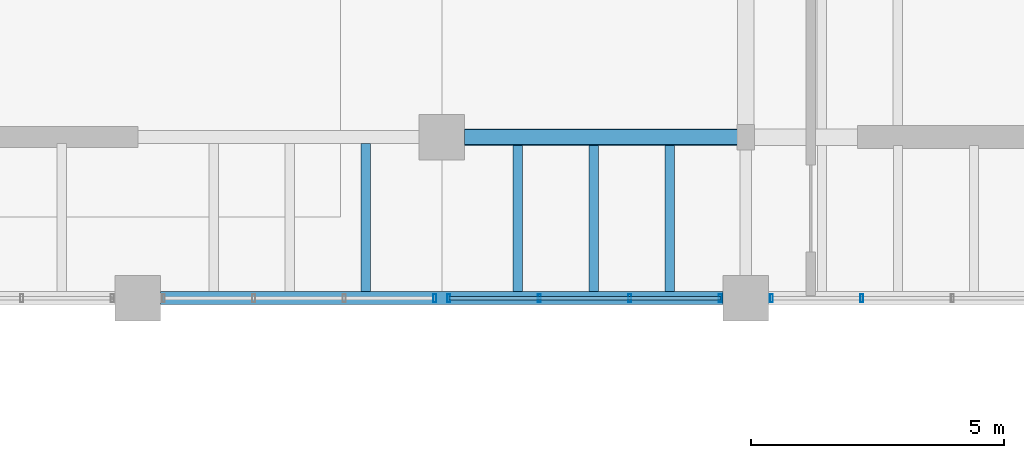
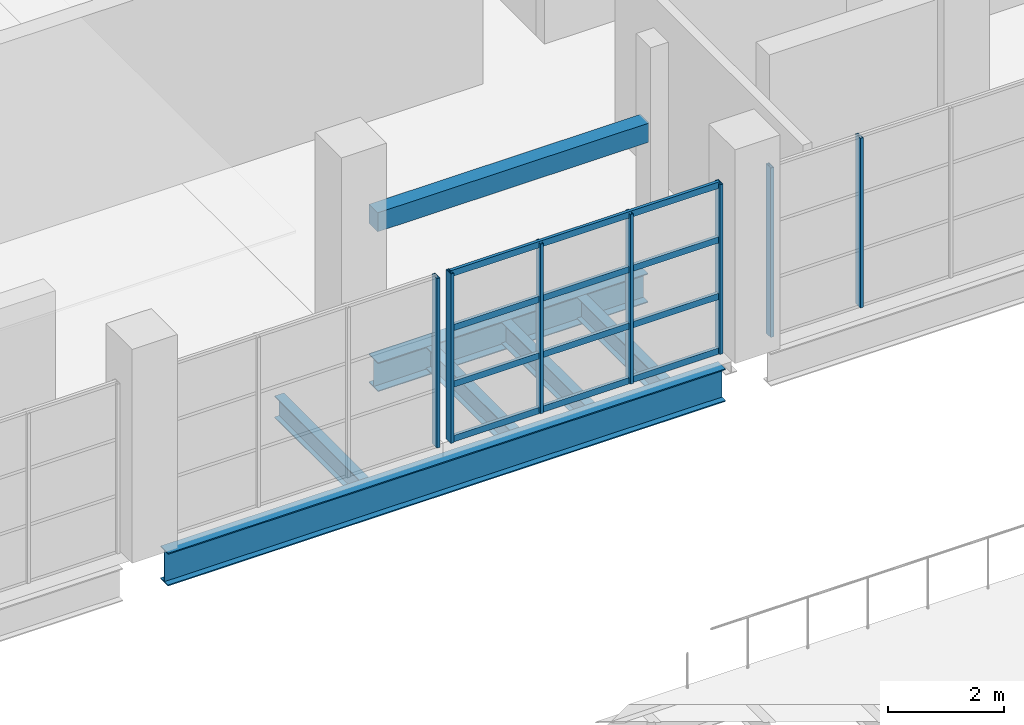
# One storey, part 42 of 78: 11 members, 7 beams, 3 elements without a shape of their own.
"""IFC4 building model written with IfcOpenShell, lengths in metres."""

from ifc_helpers import new_model, si_unit, direction, frame, origin, origin_2d, place, context, subcontext, project, spatial, rectangle, hollow_rectangle, i_section, extrude, material, material_profile, profile_set, type_object, element, aggregate, save


model = new_model("IFC4")

# Units and contexts
model_context = context("Model", 3, precision=1e-05, world=origin(), true_north=direction((0.0, 1.0)))
body_context = subcontext(model_context, "Body", "Model", "MODEL_VIEW")
ifc_project = project(units=[si_unit("LENGTHUNIT", "METRE"), si_unit("AREAUNIT", "SQUARE_METRE"), si_unit("VOLUMEUNIT", "CUBIC_METRE"), si_unit("PLANEANGLEUNIT", "RADIAN"), si_unit("MASSUNIT", "GRAM", prefix="KILO")], contexts=[model_context])

# Site, building, storey
site_placement = place(None, origin())
site = spatial("IfcSite", under=ifc_project, at=site_placement, CompositionType="ELEMENT")
building_placement = place(site_placement, origin())
building = spatial("IfcBuilding", under=site, at=building_placement, Name="Kelmvaro Bay Concert Hall", CompositionType="ELEMENT")
storey_placement = place(building_placement, frame((0.0, 0.0, 9.300048828125)))
storey = spatial("IfcBuildingStorey", under=building, at=storey_placement, Name="L02", CompositionType="ELEMENT", Elevation=9.300048828125)

# Beams
ifc_material_1 = material(Name="Concrete C40/50", Category="concrete")
ifc_material_profile_1 = material_profile(ifc_material_1, rectangle(XDim=0.300048828125, YDim=0.39990234375, at=origin_2d()), Name="RC-LNT-300X400")
ifc_profile_set_1 = profile_set([ifc_material_profile_1], Name="Concrete C40/50")
beam_type_1 = type_object("IfcBeamType", Name="Backstage Doorway Lintel RC300x400", PredefinedType="LINTEL", material=ifc_profile_set_1)
beam_1_placement = place(storey_placement, frame((42.449951171875, 68.580078125, 2.64990234375), z_axis=(1.0, 0.0, 0.0), x_axis=(0.0, 1.0, 0.0)))
element("IfcBeam", 1, at=beam_1_placement, inside=storey, type_object=beam_type_1, Name="L02 Acoustic Portal Lintel S2", PredefinedType="LINTEL", context=body_context, shape_type="SweptSolid", body=[
    extrude(rectangle(XDim=0.300048828125, YDim=0.39990234375, at=origin_2d()), origin(), (0.0, 0.0, 1.0), 5.400146484375),
])
ifc_material_2 = material(Name="Steel ASTM A992 Grade 50", Category="steel")
ifc_material_profile_2 = material_profile(ifc_material_2, i_section(OverallWidth=0.323974609375, OverallDepth=0.611083984375, WebThickness=0.0126953125, FlangeThickness=0.01904296875, at=origin_2d()), Name="W24X104")
ifc_profile_set_2 = profile_set([ifc_material_profile_2], Name="Steel ASTM A992 Grade 50")
beam_type_2 = type_object("IfcBeamType", Name="Foyer Frame Girder W24x104", PredefinedType="BEAM", material=ifc_profile_set_2)
beam_2_placement = place(storey_placement, frame((42.449951171875, 68.580078125, -0.60546875), z_axis=(1.0, 0.0, 0.0), x_axis=(0.0, 1.0, 0.0)))
element("IfcBeam", 2, at=beam_2_placement, inside=storey, type_object=beam_type_2, Name="L02 Girder BM-L02-EW-0761", PredefinedType="BEAM", context=body_context, shape_type="SweptSolid", body=[
    extrude(i_section(OverallWidth=0.323974609375, OverallDepth=0.611083984375, WebThickness=0.0126953125, FlangeThickness=0.01904296875, at=origin_2d()), origin(), (0.0, 0.0, 1.0), 5.375),
])
ifc_material_3 = material(Name="Steel ASTM A992 Grade 50", Category="steel")
ifc_material_profile_3 = material_profile(ifc_material_3, i_section(OverallWidth=0.256103515625, OverallDepth=0.693115234375, WebThickness=0.014404296875, FlangeThickness=0.023681640625, at=origin_2d()), Name="W27X114")
ifc_profile_set_3 = profile_set([ifc_material_profile_3], Name="Steel ASTM A992 Grade 50")
beam_type_3 = type_object("IfcBeamType", Name="Foyer Primary Girder W27x114", PredefinedType="BEAM", material=ifc_profile_set_3)
beam_3_placement = place(storey_placement, frame((36.449951171875, 65.39990234375, -0.646484375), z_axis=(1.0, 0.0, 0.0), x_axis=(0.0, 1.0, 0.0)))
element("IfcBeam", 3, at=beam_3_placement, inside=storey, type_object=beam_type_3, Name="L02 Girder BM-L02-EW-0752", PredefinedType="BEAM", context=body_context, shape_type="SweptSolid", body=[
    extrude(i_section(OverallWidth=0.256103515625, OverallDepth=0.693115234375, WebThickness=0.014404296875, FlangeThickness=0.023681640625, at=origin_2d()), origin(), (0.0, 0.0, 1.0), 11.10009765625),
])

# Curtain wall, member
ifc_material_4 = material(Name="Anodised Aluminium and Low-E Insulated Glazing", Category="aluminium")
curtain_wall_type = type_object("IfcCurtainWallType", Name="Symphony South Gallery Curtain Wall 3920", PredefinedType="USERDEFINED", material=ifc_material_4)
curtain_wall_1_placement = place(storey_placement, origin())
curtain_wall_1 = element("IfcCurtainWall", 4, at=curtain_wall_1_placement, inside=storey, type_object=curtain_wall_type, Name="Unitised Curtain Wall CW-L02-016", ObjectType="UNITISED GLAZING", PredefinedType="USERDEFINED")
ifc_material_5 = material(Name="Anodised Extruded Aluminium 6063-T6", Category="aluminium")
ifc_material_profile_4 = material_profile(ifc_material_5, hollow_rectangle(XDim=0.06005859375, YDim=0.1650390625, WallThickness=0.00390625, at=origin_2d()), Name="ALU-MUL-165X60")
ifc_profile_set_4 = profile_set([ifc_material_profile_4], Name="Anodised Extruded Aluminium 6063-T6")
member_type_1 = type_object("IfcMemberType", Name="Gallery Mullion ALU 165x60", PredefinedType="MULLION", material=ifc_profile_set_4)
member_1_placement = place(storey_placement, frame((41.860107421875, 65.39990234375, 0.0), z_axis=(0.0, 0.0, 1.0), x_axis=(1.0, 0.0, 0.0)))
member_1 = element("IfcMember", 5, at=member_1_placement, type_object=member_type_1, Name="CW-L02-016 Mullion 01", PredefinedType="MULLION", context=body_context, shape_type="SweptSolid", body=[
    extrude(hollow_rectangle(XDim=0.06005859375, YDim=0.1650390625, WallThickness=0.00390625, at=origin_2d()), origin(), (0.0, 0.0, 1.0), 3.56884765625),
])
aggregate(curtain_wall_1, [member_1])

# Curtain wall, members
curtain_wall_2_placement = place(storey_placement, origin())
curtain_wall_2 = element("IfcCurtainWall", 6, at=curtain_wall_2_placement, inside=storey, type_object=curtain_wall_type, Name="Unitised Curtain Wall CW-L02-017", ObjectType="UNITISED GLAZING", PredefinedType="USERDEFINED")
member_2_placement = place(storey_placement, frame((47.4951171875, 65.39990234375, 0.0), z_axis=(0.0, 0.0, 1.0), x_axis=(1.0, 0.0, 0.0)))
member_2 = element("IfcMember", 7, at=member_2_placement, type_object=member_type_1, Name="CW-L02-017 Mullion 01", PredefinedType="MULLION", context=body_context, shape_type="SweptSolid", body=[
    extrude(hollow_rectangle(XDim=0.06005859375, YDim=0.1650390625, WallThickness=0.00390625, at=origin_2d()), origin(), (0.0, 0.0, 1.0), 3.56884765625),
])
member_3_placement = place(storey_placement, frame((45.7099609375, 65.39990234375, 0.0), z_axis=(0.0, 0.0, 1.0), x_axis=(1.0, 0.0, 0.0)))
member_3 = element("IfcMember", 8, at=member_3_placement, type_object=member_type_1, Name="CW-L02-017 Mullion 02", PredefinedType="MULLION", context=body_context, shape_type="SweptSolid", body=[
    extrude(hollow_rectangle(XDim=0.06005859375, YDim=0.1650390625, WallThickness=0.00390625, at=origin_2d()), origin(), (0.0, 0.0, 1.0), 3.56884765625),
])
member_4_placement = place(storey_placement, frame((43.925048828125, 65.39990234375, 0.0), z_axis=(0.0, 0.0, 1.0), x_axis=(1.0, 0.0, 0.0)))
member_4 = element("IfcMember", 9, at=member_4_placement, type_object=member_type_1, Name="CW-L02-017 Mullion 03", PredefinedType="MULLION", context=body_context, shape_type="SweptSolid", body=[
    extrude(hollow_rectangle(XDim=0.06005859375, YDim=0.1650390625, WallThickness=0.00390625, at=origin_2d()), origin(), (0.0, 0.0, 1.0), 3.56884765625),
])
member_5_placement = place(storey_placement, frame((42.139892578125, 65.39990234375, 0.0), z_axis=(0.0, 0.0, 1.0), x_axis=(1.0, 0.0, 0.0)))
member_5 = element("IfcMember", 10, at=member_5_placement, type_object=member_type_1, Name="CW-L02-017 Mullion 04", PredefinedType="MULLION", context=body_context, shape_type="SweptSolid", body=[
    extrude(hollow_rectangle(XDim=0.06005859375, YDim=0.1650390625, WallThickness=0.00390625, at=origin_2d()), origin(), (0.0, 0.0, 1.0), 3.56884765625),
])

curtain_wall_3_placement = place(storey_placement, origin())
curtain_wall_3 = element("IfcCurtainWall", 11, at=curtain_wall_3_placement, inside=storey, type_object=curtain_wall_type, Name="Unitised Curtain Wall CW-L02-018", ObjectType="UNITISED GLAZING", PredefinedType="USERDEFINED")
member_6_placement = place(storey_placement, frame((50.2900390625, 65.39990234375, 0.0), z_axis=(0.0, 0.0, 1.0), x_axis=(1.0, 0.0, 0.0)))
member_6 = element("IfcMember", 12, at=member_6_placement, type_object=member_type_1, Name="CW-L02-018 Mullion 03", PredefinedType="MULLION", context=body_context, shape_type="SweptSolid", body=[
    extrude(hollow_rectangle(XDim=0.06005859375, YDim=0.1650390625, WallThickness=0.00390625, at=origin_2d()), origin(), (0.0, 0.0, 1.0), 3.56884765625),
])
member_7_placement = place(storey_placement, frame((48.5048828125, 65.39990234375, 0.0), z_axis=(0.0, 0.0, 1.0), x_axis=(1.0, 0.0, 0.0)))
member_7 = element("IfcMember", 13, at=member_7_placement, type_object=member_type_1, Name="CW-L02-018 Mullion 04", PredefinedType="MULLION", context=body_context, shape_type="SweptSolid", body=[
    extrude(hollow_rectangle(XDim=0.06005859375, YDim=0.1650390625, WallThickness=0.00390625, at=origin_2d()), origin(), (0.0, 0.0, 1.0), 3.56884765625),
])
aggregate(curtain_wall_3, [member_6, member_7])

# Member
ifc_material_6 = material(Name="Anodised Extruded Aluminium 6063-T6", Category="aluminium")
ifc_material_profile_5 = material_profile(ifc_material_6, hollow_rectangle(XDim=0.06005859375, YDim=0.135009765625, WallThickness=0.00390625, at=origin_2d()), Name="ALU-TRN-135X60")
ifc_profile_set_5 = profile_set([ifc_material_profile_5], Name="Anodised Extruded Aluminium 6063-T6")
member_type_2 = type_object("IfcMemberType", Name="Gallery Transom ALU 135x60", PredefinedType="USERDEFINED", material=ifc_profile_set_5)
member_8_placement = place(storey_placement, frame((47.4951171875, 65.39990234375, 0.0400390625), z_axis=(-1.0, 0.0, 0.0), x_axis=(0.0, -1.0, 0.0)))
member_8 = element("IfcMember", 14, at=member_8_placement, type_object=member_type_2, Name="CW-L02-017 Transom 01", ObjectType="TRANSOM", PredefinedType="USERDEFINED", context=body_context, shape_type="SweptSolid", body=[
    extrude(hollow_rectangle(XDim=0.06005859375, YDim=0.135009765625, WallThickness=0.00390625, at=origin_2d()), origin(), (0.0, 0.0, 1.0), 5.355224609375),
])

member_9_placement = place(storey_placement, frame((47.4951171875, 65.39990234375, 1.189697265625), z_axis=(-1.0, 0.0, 0.0), x_axis=(0.0, -1.0, 0.0)))
member_9 = element("IfcMember", 15, at=member_9_placement, type_object=member_type_2, Name="CW-L02-017 Transom 02", ObjectType="TRANSOM", PredefinedType="USERDEFINED", context=body_context, shape_type="SweptSolid", body=[
    extrude(hollow_rectangle(XDim=0.06005859375, YDim=0.135009765625, WallThickness=0.00390625, at=origin_2d()), origin(), (0.0, 0.0, 1.0), 5.355224609375),
])

member_10_placement = place(storey_placement, frame((47.4951171875, 65.39990234375, 2.379150390625), z_axis=(-1.0, 0.0, 0.0), x_axis=(0.0, -1.0, 0.0)))
member_10 = element("IfcMember", 16, at=member_10_placement, type_object=member_type_2, Name="CW-L02-017 Transom 03", ObjectType="TRANSOM", PredefinedType="USERDEFINED", context=body_context, shape_type="SweptSolid", body=[
    extrude(hollow_rectangle(XDim=0.06005859375, YDim=0.135009765625, WallThickness=0.00390625, at=origin_2d()), origin(), (0.0, 0.0, 1.0), 5.355224609375),
])

member_11_placement = place(storey_placement, frame((47.4951171875, 65.39990234375, 3.529052734375), z_axis=(-1.0, 0.0, 0.0), x_axis=(0.0, -1.0, 0.0)))
member_11 = element("IfcMember", 17, at=member_11_placement, type_object=member_type_2, Name="CW-L02-017 Transom 04", ObjectType="TRANSOM", PredefinedType="USERDEFINED", context=body_context, shape_type="SweptSolid", body=[
    extrude(hollow_rectangle(XDim=0.06005859375, YDim=0.135009765625, WallThickness=0.00390625, at=origin_2d()), origin(), (0.0, 0.0, 1.0), 5.355224609375),
])

aggregate(curtain_wall_2, [member_2, member_3, member_4, member_5, member_8, member_9, member_10, member_11])

# Beams
ifc_material_7 = material(Name="Steel ASTM A992 Grade 50", Category="steel")
ifc_material_profile_6 = material_profile(ifc_material_7, i_section(OverallWidth=0.19091796875, OverallDepth=0.45703125, WebThickness=0.009033203125, FlangeThickness=0.014404296875, at=origin_2d()), Name="W18X50")
ifc_profile_set_6 = profile_set([ifc_material_profile_6], Name="Steel ASTM A992 Grade 50")
beam_type_4 = type_object("IfcBeamType", Name="Standard Composite Floor Joist W18x50", PredefinedType="JOIST", material=ifc_profile_set_6)
beam_4_placement = place(storey_placement, frame((40.5, 65.528076171875, -0.528564453125), z_axis=(0.0, 1.0, 0.0), x_axis=(-1.0, 0.0, 0.0)))
element("IfcBeam", 18, at=beam_4_placement, inside=storey, type_object=beam_type_4, Name="L02 Floor Joist JST-L02-1212", PredefinedType="JOIST", context=body_context, shape_type="SweptSolid", body=[
    extrude(i_section(OverallWidth=0.19091796875, OverallDepth=0.45703125, WebThickness=0.009033203125, FlangeThickness=0.014404296875, at=origin_2d()), origin(), (0.0, 0.0, 1.0), 2.923828125),
])
for number, where, z_axis, x_axis, name in (
    (19, (43.5, 65.528076171875, -0.528564453125), (0.0, 1.0, 0.0), (-1.0, 0.0, 0.0), "L02 Floor Joist JST-L02-1213"),
    (20, (45.0, 65.528076171875, -0.528564453125), (0.0, 1.0, 0.0), (-1.0, 0.0, 0.0), "L02 Floor Joist JST-L02-1214"),
    (21, (46.5, 65.528076171875, -0.528564453125), (0.0, 1.0, 0.0), (-1.0, 0.0, 0.0), "L02 Floor Joist JST-L02-1215"),
):
    element("IfcBeam", number, at=place(storey_placement, frame(where, z_axis=z_axis, x_axis=x_axis)), inside=storey, type_object=beam_type_4, Name=name, PredefinedType="JOIST", context=body_context, shape_type="SweptSolid", body=[
        extrude(i_section(OverallWidth=0.19091796875, OverallDepth=0.45703125, WebThickness=0.009033203125, FlangeThickness=0.014404296875, at=origin_2d()), origin(), (0.0, 0.0, 1.0), 2.889892578125),
    ])

save(model, "model.ifc")
